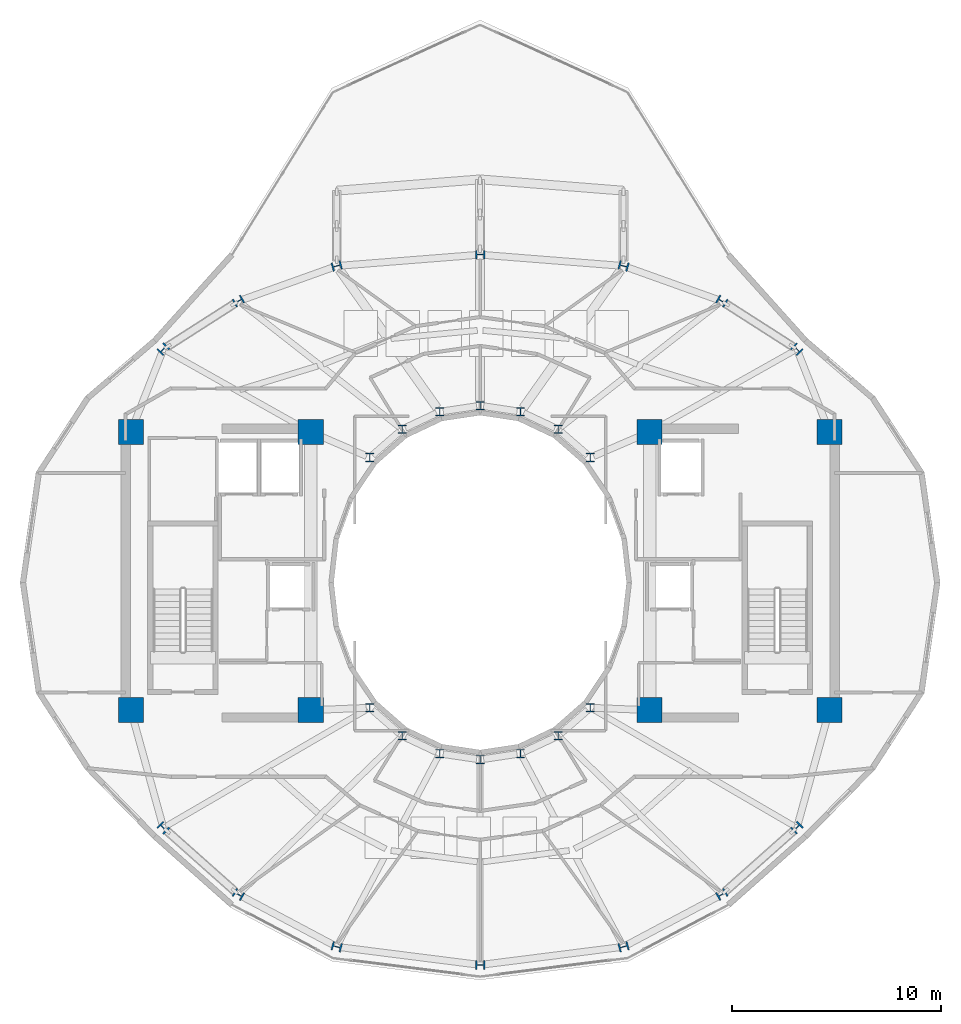
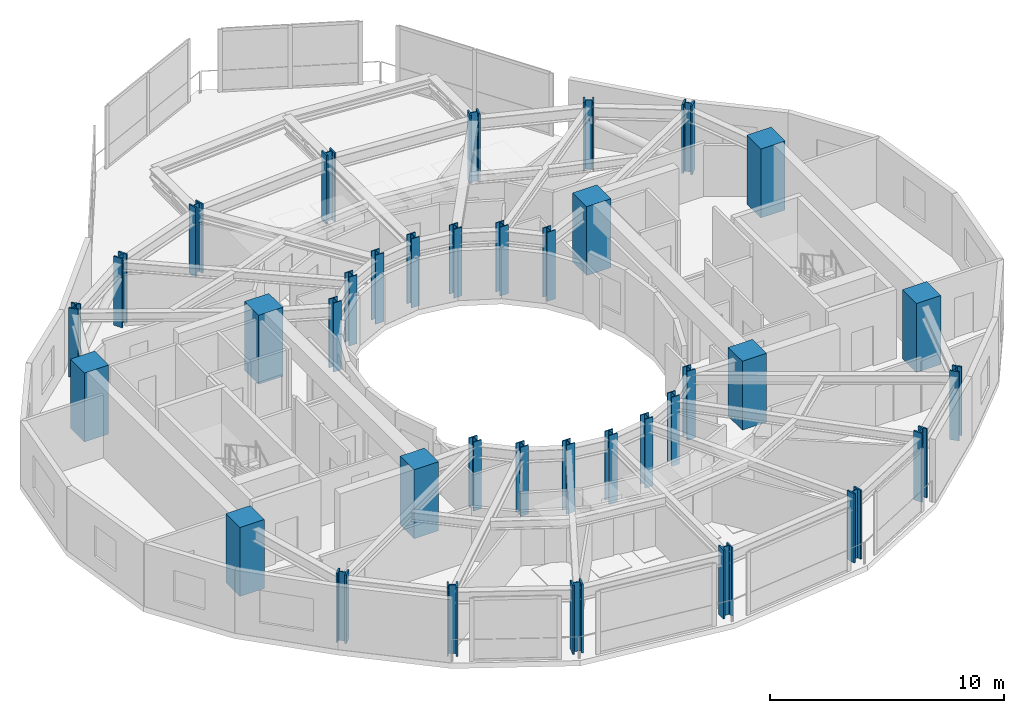
# One storey, part 1 of 19: 36 columns.
"""IFC4 building model written with IfcOpenShell, lengths in metres."""

from ifc_helpers import new_model, si_unit, direction, frame, origin, origin_2d, place, context, subcontext, project, spatial, rectangle, i_section, extrude, material, material_profile, profile_set, type_object, element, save


model = new_model("IFC4")

# Units and contexts
model_context = context("Model", 3, precision=1e-05, world=origin(), true_north=direction((0.0, 1.0)))
body_context = subcontext(model_context, "Body", "Model", "MODEL_VIEW")
ifc_project = project(units=[si_unit("LENGTHUNIT", "METRE"), si_unit("AREAUNIT", "SQUARE_METRE"), si_unit("VOLUMEUNIT", "CUBIC_METRE"), si_unit("PLANEANGLEUNIT", "RADIAN"), si_unit("MASSUNIT", "GRAM", prefix="KILO")], contexts=[model_context])

# Site, building, storey
site_placement = place(None, origin())
site = spatial("IfcSite", under=ifc_project, at=site_placement, CompositionType="ELEMENT")
building_placement = place(site_placement, origin())
building = spatial("IfcBuilding", under=site, at=building_placement, Name="Solvane Sanctuary Tower", CompositionType="ELEMENT")
storey_placement = place(building_placement, frame((0.0, 0.0, 249.60009765625)))
storey = spatial("IfcBuildingStorey", under=building, at=storey_placement, Name="L76", CompositionType="ELEMENT", Elevation=249.60009765625)

# Columns
ifc_material_1 = material(Name="Steel ASTM A913 Grade 65", Category="steel")
ifc_material_profile_1 = material_profile(ifc_material_1, i_section(OverallWidth=0.422119140625, OverallDepth=0.465087890625, WebThickness=0.044921875, FlangeThickness=0.072509765625, FilletRadius=0.02490234375, at=origin_2d()), Name="W14X398")
ifc_profile_set_1 = profile_set([ifc_material_profile_1], Name="Steel ASTM A913 Grade 65")
column_type_1 = type_object("IfcColumnType", Name="Column C-CANT W14X398", PredefinedType="COLUMN", material=ifc_profile_set_1)
for number, where, z_axis, x_axis, name in (
    (1, (47.14501953125, 34.159423828125, 0.0), (0.0, 0.0, 1.0), (0.707106781187, 0.707106781187, 0.0), "L76 Perimeter Tube Column TC01"),
    (2, (43.55517578125, 36.45703125, 0.0), (0.0, 0.0, 1.0), (0.5, 0.866025403784, 0.0), "L76 Perimeter Tube Column TC02"),
    (3, (38.856201171875, 38.13818359375, 0.0), (0.0, 0.0, 1.0), (0.258819045103, 0.965925826289, 0.0), "L76 Perimeter Tube Column TC03"),
    (4, (32.0, 38.679931640625, 0.0), (0.0, 0.0, 1.0), (0.0, 1.0, 0.0), "L76 Perimeter Tube Column TC04"),
    (5, (25.143798828125, 38.13818359375, 0.0), (0.0, 0.0, 1.0), (-0.258819045103, 0.965925826289, 0.0), "L76 Perimeter Tube Column TC05"),
    (6, (20.44482421875, 36.45703125, 0.0), (0.0, 0.0, 1.0), (-0.5, 0.866025403784, 0.0), "L76 Perimeter Tube Column TC06"),
    (7, (16.85498046875, 34.159423828125, 0.0), (0.0, 0.0, 1.0), (-0.707106781187, 0.707106781187, 0.0), "L76 Perimeter Tube Column TC07"),
    (8, (16.85498046875, 11.279052734375, 0.0), (0.0, 0.0, 1.0), (-0.707106781187, -0.707106781187, 0.0), "L76 Perimeter Tube Column TC08"),
    (9, (20.44482421875, 8.086181640625, 0.0), (0.0, 0.0, 1.0), (-0.5, -0.866025403784, 0.0), "L76 Perimeter Tube Column TC09"),
    (10, (25.143798828125, 5.588623046875, 0.0), (0.0, 0.0, 1.0), (-0.258819045103, -0.965925826289, 0.0), "L76 Perimeter Tube Column TC10"),
    (11, (32.0, 4.719970703125, 0.0), (0.0, 0.0, 1.0), (0.0, -1.0, 0.0), "L76 Perimeter Tube Column TC11"),
    (12, (38.856201171875, 5.588623046875, 0.0), (0.0, 0.0, 1.0), (0.258819045103, -0.965925826289, 0.0), "L76 Perimeter Tube Column TC12"),
    (13, (43.55517578125, 8.086181640625, 0.0), (0.0, 0.0, 1.0), (0.5, -0.866025403784, 0.0), "L76 Perimeter Tube Column TC13"),
    (14, (47.14501953125, 11.279052734375, 0.0), (0.0, 0.0, 1.0), (0.707106781187, -0.707106781187, 0.0), "L76 Perimeter Tube Column TC14"),
):
    element("IfcColumn", number, at=place(storey_placement, frame(where, z_axis=z_axis, x_axis=x_axis)), inside=storey, type_object=column_type_1, Name=name, PredefinedType="COLUMN", context=body_context, shape_type="SweptSolid", body=[
        extrude(i_section(OverallWidth=0.422119140625, OverallDepth=0.465087890625, WebThickness=0.044921875, FlangeThickness=0.072509765625, FilletRadius=0.02490234375, at=origin_2d()), origin(), (0.0, 0.0, 1.0), 3.599853515625),
    ])
ifc_material_profile_2 = material_profile(ifc_material_1, i_section(OverallWidth=0.404052734375, OverallDepth=0.406982421875, WebThickness=0.027099609375, FlangeThickness=0.043701171875, FilletRadius=0.02490234375, at=origin_2d()), Name="W14X233")
ifc_profile_set_2 = profile_set([ifc_material_profile_2], Name="Steel ASTM A913 Grade 65")
column_type_2 = type_object("IfcColumnType", Name="Column C-LOUNGE W14X233", PredefinedType="COLUMN", material=ifc_profile_set_2)
for number, where, z_axis, x_axis, name in (
    (15, (37.27490234375, 28.982177734375, 0.0), (0.0, 0.0, 1.0), (1.0, 0.0, 0.0), "L76 Inner Light-Well Ring Column IC01"),
    (16, (35.72998046875, 30.32666015625, 0.0), (0.0, 0.0, 1.0), (1.0, 0.0, 0.0), "L76 Inner Light-Well Ring Column IC02"),
    (17, (33.930908203125, 31.171630859375, 0.0), (0.0, 0.0, 1.0), (1.0, 0.0, 0.0), "L76 Inner Light-Well Ring Column IC03"),
    (18, (32.0, 31.4599609375, 0.0), (0.0, 0.0, 1.0), (1.0, 0.0, 0.0), "L76 Inner Light-Well Ring Column IC04"),
    (19, (30.069091796875, 31.171630859375, 0.0), (0.0, 0.0, 1.0), (1.0, 0.0, 0.0), "L76 Inner Light-Well Ring Column IC05"),
    (20, (28.27001953125, 30.32666015625, 0.0), (0.0, 0.0, 1.0), (1.0, 0.0, 0.0), "L76 Inner Light-Well Ring Column IC06"),
    (21, (26.72509765625, 28.982177734375, 0.0), (0.0, 0.0, 1.0), (1.0, 0.0, 0.0), "L76 Inner Light-Well Ring Column IC07"),
    (22, (26.72509765625, 17.017822265625, 0.0), (0.0, 0.0, 1.0), (1.0, 0.0, 0.0), "L76 Inner Light-Well Ring Column IC08"),
    (23, (28.27001953125, 15.67333984375, 0.0), (0.0, 0.0, 1.0), (1.0, 0.0, 0.0), "L76 Inner Light-Well Ring Column IC09"),
    (24, (30.069091796875, 14.828369140625, 0.0), (0.0, 0.0, 1.0), (1.0, 0.0, 0.0), "L76 Inner Light-Well Ring Column IC10"),
    (25, (32.0, 14.5400390625, 0.0), (0.0, 0.0, 1.0), (1.0, 0.0, 0.0), "L76 Inner Light-Well Ring Column IC11"),
    (26, (33.930908203125, 14.828369140625, 0.0), (0.0, 0.0, 1.0), (1.0, 0.0, 0.0), "L76 Inner Light-Well Ring Column IC12"),
    (27, (35.72998046875, 15.67333984375, 0.0), (0.0, 0.0, 1.0), (1.0, 0.0, 0.0), "L76 Inner Light-Well Ring Column IC13"),
    (28, (37.27490234375, 17.017822265625, 0.0), (0.0, 0.0, 1.0), (1.0, 0.0, 0.0), "L76 Inner Light-Well Ring Column IC14"),
):
    element("IfcColumn", number, at=place(storey_placement, frame(where, z_axis=z_axis, x_axis=x_axis)), inside=storey, type_object=column_type_2, Name=name, PredefinedType="COLUMN", context=body_context, shape_type="SweptSolid", body=[
        extrude(i_section(OverallWidth=0.404052734375, OverallDepth=0.406982421875, WebThickness=0.027099609375, FlangeThickness=0.043701171875, FilletRadius=0.02490234375, at=origin_2d()), origin(), (0.0, 0.0, 1.0), 3.599853515625),
    ])
ifc_material_2 = material(Name="Concrete C70/85", Category="concrete")
ifc_material_profile_3 = material_profile(ifc_material_2, rectangle(XDim=1.199951171875, YDim=1.199951171875, at=origin_2d()), Name="RC1200X1200")
ifc_profile_set_3 = profile_set([ifc_material_profile_3], Name="Concrete C70/85")
column_type_3 = type_object("IfcColumnType", Name="Column C-TUBE-Z1 RC1200X1200", PredefinedType="COLUMN", material=ifc_profile_set_3)
for number, where, z_axis, x_axis, name in (
    (29, (15.300048828125, 16.89990234375, 0.0), (0.0, 0.0, 1.0), (1.0, 0.0, 0.0), "L76 Core Corner Column CW1"),
    (30, (23.89990234375, 16.89990234375, 0.0), (0.0, 0.0, 1.0), (1.0, 0.0, 0.0), "L76 Core Corner Column CW2"),
    (31, (23.89990234375, 30.199951171875, 0.0), (0.0, 0.0, 1.0), (1.0, 0.0, 0.0), "L76 Core Corner Column CW3"),
    (32, (15.300048828125, 30.199951171875, 0.0), (0.0, 0.0, 1.0), (1.0, 0.0, 0.0), "L76 Core Corner Column CW4"),
    (33, (40.10009765625, 16.89990234375, 0.0), (0.0, 0.0, 1.0), (1.0, 0.0, 0.0), "L76 Core Corner Column CE1"),
    (34, (48.699951171875, 16.89990234375, 0.0), (0.0, 0.0, 1.0), (1.0, 0.0, 0.0), "L76 Core Corner Column CE2"),
    (35, (48.699951171875, 30.199951171875, 0.0), (0.0, 0.0, 1.0), (1.0, 0.0, 0.0), "L76 Core Corner Column CE3"),
    (36, (40.10009765625, 30.199951171875, 0.0), (0.0, 0.0, 1.0), (1.0, 0.0, 0.0), "L76 Core Corner Column CE4"),
):
    element("IfcColumn", number, at=place(storey_placement, frame(where, z_axis=z_axis, x_axis=x_axis)), inside=storey, type_object=column_type_3, Name=name, PredefinedType="COLUMN", context=body_context, shape_type="SweptSolid", body=[
        extrude(rectangle(XDim=1.199951171875, YDim=1.199951171875, at=origin_2d()), origin(), (0.0, 0.0, 1.0), 3.599853515625),
    ])

save(model, "model.ifc")
